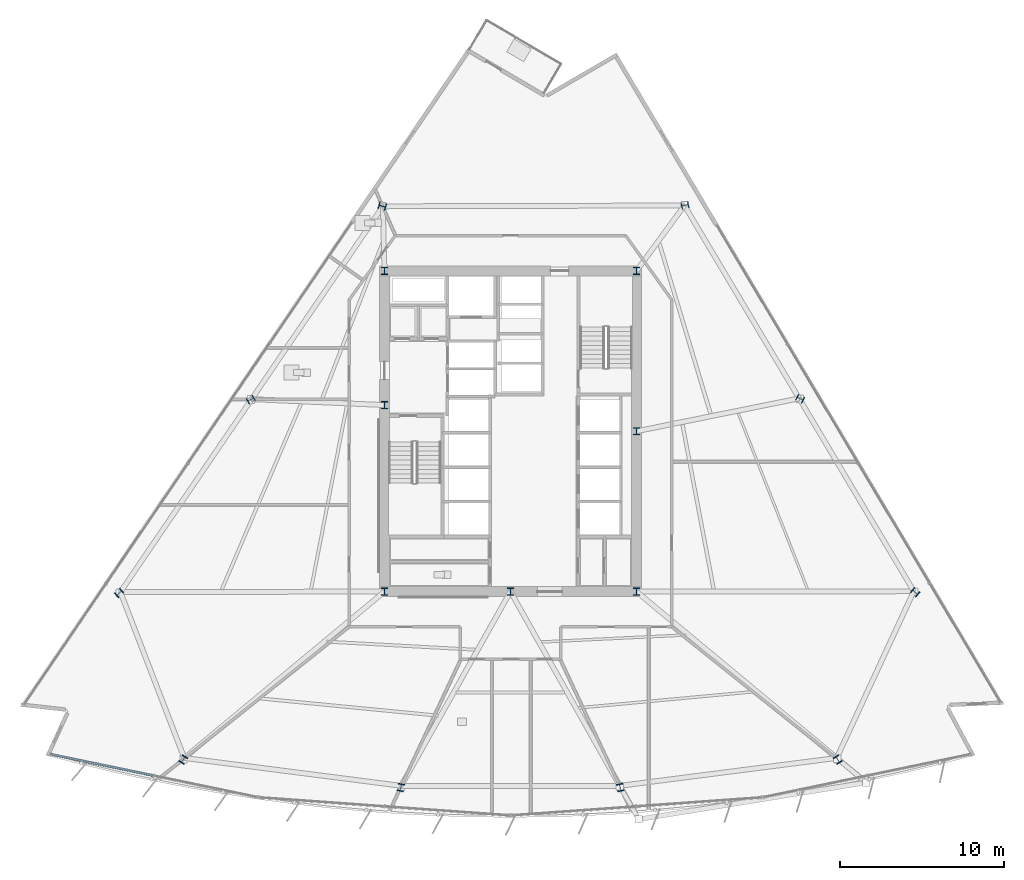
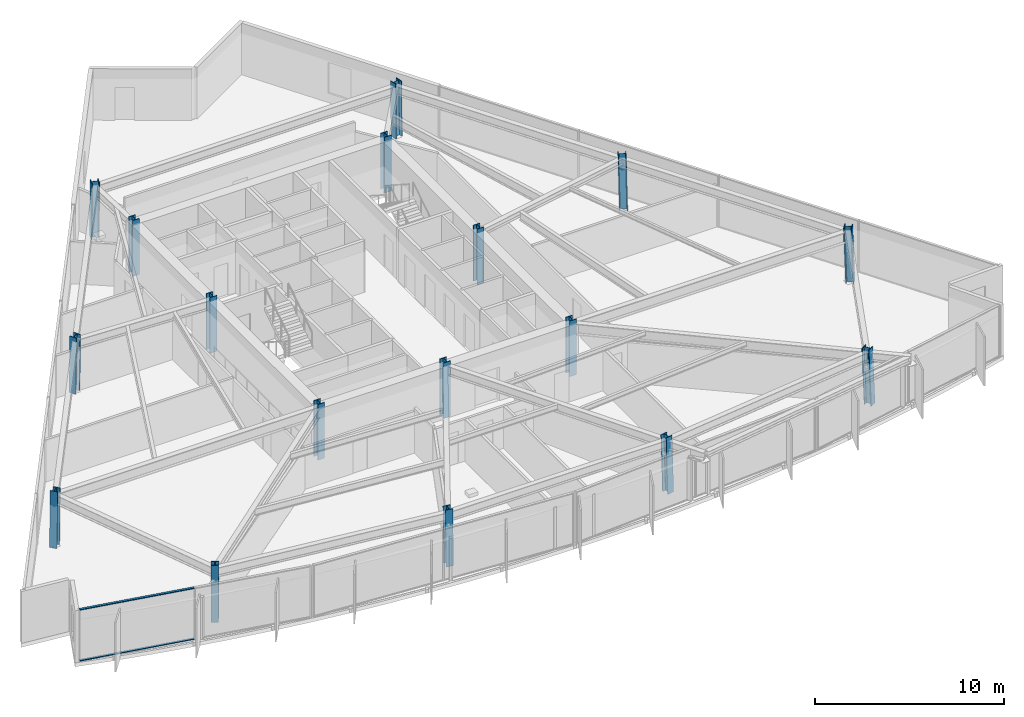
# One storey, part 1 of 18: 17 columns, 2 members, 1 element without a shape of its own.
"""IFC4 building model written with IfcOpenShell, lengths in metres."""

from ifc_helpers import new_model, si_unit, direction, frame, origin, origin_2d, place, context, subcontext, project, spatial, rectangle, i_section, extrude, material, material_profile, profile_set, type_object, element, aggregate, save


model = new_model("IFC4")

# Units and contexts
model_context = context("Model", 3, precision=1e-05, world=origin(), true_north=direction((0.0, 1.0)))
body_context = subcontext(model_context, "Body", "Model", "MODEL_VIEW")
ifc_project = project(units=[si_unit("LENGTHUNIT", "METRE"), si_unit("AREAUNIT", "SQUARE_METRE"), si_unit("VOLUMEUNIT", "CUBIC_METRE"), si_unit("PLANEANGLEUNIT", "RADIAN"), si_unit("MASSUNIT", "GRAM", prefix="KILO")], contexts=[model_context])

# Site, building, storey
site_placement = place(None, origin())
site = spatial("IfcSite", under=ifc_project, at=site_placement, CompositionType="ELEMENT")
building_placement = place(site_placement, origin())
building = spatial("IfcBuilding", under=site, at=building_placement, Name="Savorim Split Tower", CompositionType="ELEMENT")
storey_placement = place(building_placement, frame((0.0, 0.0, 44.39990234375)))
storey = spatial("IfcBuildingStorey", under=building, at=storey_placement, Name="L11", CompositionType="ELEMENT", Elevation=44.39990234375)

# Columns
ifc_material_1 = material(Name="Steel S460", Category="steel")
ifc_material_profile_1 = material_profile(ifc_material_1, i_section(OverallWidth=0.416015625, OverallDepth=0.446044921875, WebThickness=0.02490234375, FlangeThickness=0.0400390625, FilletRadius=0.014892578125, at=origin_2d()), Name="HD 400x509")
ifc_profile_set_1 = profile_set([ifc_material_profile_1], Name="Steel S460")
column_type = type_object("IfcColumnType", Name="COL-HD-509", PredefinedType="COLUMN", material=ifc_profile_set_1)
for number, where, z_axis, x_axis, name in (
    (1, (-7.699951171875, -9.39990234375, 0.0), (0.0, 0.0, 1.0), (1.0, 0.0, 0.0), "L11 Core Structural Column TC-C1"),
    (2, (7.699951171875, -9.39990234375, 0.0), (0.0, 0.0, 1.0), (1.0, 0.0, 0.0), "L11 Core Structural Column TC-C2"),
    (3, (7.699951171875, 10.199951171875, 0.0), (0.0, 0.0, 1.0), (1.0, 0.0, 0.0), "L11 Core Structural Column TC-C3"),
    (4, (-7.699951171875, 10.199951171875, 0.0), (0.0, 0.0, 1.0), (1.0, 0.0, 0.0), "L11 Core Structural Column TC-C4"),
    (5, (0.0, -9.39990234375, 0.0), (0.0, 0.0, 1.0), (1.0, 0.0, 0.0), "L11 Core Structural Column TC-C5"),
    (6, (7.699951171875, 0.39990234375, 0.0), (0.0, 0.0, 1.0), (1.0, 0.0, 0.0), "L11 Core Structural Column TC-C6"),
    (7, (-7.699951171875, 2.0, 0.0), (0.0, 0.0, 1.0), (1.0, 0.0, 0.0), "L11 Core Structural Column TC-C7"),
):
    element("IfcColumn", number, at=place(storey_placement, frame(where, z_axis=z_axis, x_axis=x_axis)), inside=storey, type_object=column_type, Name=name, PredefinedType="COLUMN", context=body_context, shape_type="SweptSolid", body=[
        extrude(i_section(OverallWidth=0.416015625, OverallDepth=0.446044921875, WebThickness=0.02490234375, FlangeThickness=0.0400390625, FilletRadius=0.014892578125, at=origin_2d()), origin(), (0.0, 0.0, 1.0), 3.60009765625),
    ])
column_1_placement = place(storey_placement, frame((-20.01171875, -19.68701171875, 0.005615234375), z_axis=(0.020596245868, 0.03357935795, 0.999223809452), x_axis=(-0.852427604955, 0.522845271865, 0.0)))
element("IfcColumn", 8, at=column_1_placement, inside=storey, type_object=column_type, Name="L11 Tapered Perimeter Column PC-S1", PredefinedType="COLUMN", context=body_context, shape_type="SweptSolid", body=[
    extrude(i_section(OverallWidth=0.416015625, OverallDepth=0.446044921875, WebThickness=0.02490234375, FlangeThickness=0.0400390625, FilletRadius=0.014892578125, at=origin_2d()), origin(), (0.0, 0.0, 1.0), 3.591552734375),
])
for number, where, z_axis, x_axis, name in (
    (9, (-6.70703125, -21.39501953125, 0.005615234375), (0.006934288159, 0.035283289748, 0.999353293441), (-0.981229659911, 0.192842823335, 0.0), "L11 Tapered Perimeter Column PC-S2"),
    (10, (6.70703125, -21.39501953125, 0.005615234375), (-0.006934288159, 0.035283289748, 0.999353293441), (-0.981229659911, -0.192842823335, 0.0), "L11 Tapered Perimeter Column PC-S3"),
):
    element("IfcColumn", number, at=place(storey_placement, frame(where, z_axis=z_axis, x_axis=x_axis)), inside=storey, type_object=column_type, Name=name, PredefinedType="COLUMN", context=body_context, shape_type="SweptSolid", body=[
        extrude(i_section(OverallWidth=0.416015625, OverallDepth=0.446044921875, WebThickness=0.02490234375, FlangeThickness=0.0400390625, FilletRadius=0.014892578125, at=origin_2d()), origin(), (0.0, 0.0, 1.0), 3.59130859375),
    ])
column_2_placement = place(storey_placement, frame((20.01171875, -19.68701171875, 0.005615234375), z_axis=(-0.020596245868, 0.03357935795, 0.999223809452), x_axis=(-0.852427604955, -0.522845271865, 0.0)))
element("IfcColumn", 11, at=column_2_placement, inside=storey, type_object=column_type, Name="L11 Tapered Perimeter Column PC-S4", PredefinedType="COLUMN", context=body_context, shape_type="SweptSolid", body=[
    extrude(i_section(OverallWidth=0.416015625, OverallDepth=0.446044921875, WebThickness=0.02490234375, FlangeThickness=0.0400390625, FilletRadius=0.014892578125, at=origin_2d()), origin(), (0.0, 0.0, 1.0), 3.591552734375),
])
column_3_placement = place(storey_placement, frame((24.7421875, -9.455322265625, 0.005615234375), z_axis=(-0.026039494941, 0.021620259507, 0.999427090428), x_axis=(-0.638800249892, -0.769372628015, 0.0)))
element("IfcColumn", 12, at=column_3_placement, inside=storey, type_object=column_type, Name="L11 Tapered Perimeter Column PC-E1", PredefinedType="COLUMN", context=body_context, shape_type="SweptSolid", body=[
    extrude(i_section(OverallWidth=0.416015625, OverallDepth=0.446044921875, WebThickness=0.02490234375, FlangeThickness=0.0400390625, FilletRadius=0.014892578125, at=origin_2d()), origin(), (0.0, 0.0, 1.0), 3.5908203125),
])
column_4_placement = place(storey_placement, frame((17.7080078125, 2.37451171875, 0.005615234375), z_axis=(-0.018975301738, 0.00958966862, 0.999773962543), x_axis=(-0.451048184688, -0.89249959949, 0.0)))
element("IfcColumn", 13, at=column_4_placement, inside=storey, type_object=column_type, Name="L11 Tapered Perimeter Column PC-E2", PredefinedType="COLUMN", context=body_context, shape_type="SweptSolid", body=[
    extrude(i_section(OverallWidth=0.416015625, OverallDepth=0.446044921875, WebThickness=0.02490234375, FlangeThickness=0.0400390625, FilletRadius=0.014892578125, at=origin_2d()), origin(), (0.0, 0.0, 1.0), 3.589599609375),
])
for number, where, z_axis, x_axis, name in (
    (14, (10.673583984375, 14.20458984375, 0.005615234375), (-0.011699840322, -0.002584848443, 0.999928213571), (0.215728093413, -0.976453475447, 0.0), "L11 Tapered Perimeter Column PC-E3"),
    (15, (-7.83349609375, 14.15576171875, 0.005615234375), (0.008775143007, -0.002584925847, 0.999958156636), (0.282568886397, 0.959247009086, 0.0), "L11 Tapered Perimeter Column PC-W1"),
):
    element("IfcColumn", number, at=place(storey_placement, frame(where, z_axis=z_axis, x_axis=x_axis)), inside=storey, type_object=column_type, Name=name, PredefinedType="COLUMN", context=body_context, shape_type="SweptSolid", body=[
        extrude(i_section(OverallWidth=0.416015625, OverallDepth=0.446044921875, WebThickness=0.02490234375, FlangeThickness=0.0400390625, FilletRadius=0.014892578125, at=origin_2d()), origin(), (0.0, 0.0, 1.0), 3.589111328125),
    ])
column_5_placement = place(storey_placement, frame((-15.88134765625, 2.32568359375, 0.005615234375), z_axis=(0.017003561856, 0.009590008887, 0.99980943715), x_axis=(-0.491253415567, 0.871016694268, 0.0)))
element("IfcColumn", 16, at=column_5_placement, inside=storey, type_object=column_type, Name="L11 Tapered Perimeter Column PC-W2", PredefinedType="COLUMN", context=body_context, shape_type="SweptSolid", body=[
    extrude(i_section(OverallWidth=0.416015625, OverallDepth=0.446044921875, WebThickness=0.02490234375, FlangeThickness=0.0400390625, FilletRadius=0.014892578125, at=origin_2d()), origin(), (0.0, 0.0, 1.0), 3.589599609375),
])
column_6_placement = place(storey_placement, frame((-23.928955078125, -9.504150390625, 0.005615234375), z_axis=(0.025224163578, 0.021620711639, 0.999447990843), x_axis=(-0.650791373456, 0.759256602365, 0.0)))
element("IfcColumn", 17, at=column_6_placement, inside=storey, type_object=column_type, Name="L11 Tapered Perimeter Column PC-W3", PredefinedType="COLUMN", context=body_context, shape_type="SweptSolid", body=[
    extrude(i_section(OverallWidth=0.416015625, OverallDepth=0.446044921875, WebThickness=0.02490234375, FlangeThickness=0.0400390625, FilletRadius=0.014892578125, at=origin_2d()), origin(), (0.0, 0.0, 1.0), 3.5908203125),
])

# Curtain wall, members
ifc_material_2 = material(Name="Dark Ceramic-Fritted Insulated Glass", Category="glass")
curtain_wall_type = type_object("IfcCurtainWallType", Name="CW-TWR-FRIT-A", PredefinedType="NOTDEFINED", material=ifc_material_2)
curtain_wall_placement = place(storey_placement, origin())
curtain_wall = element("IfcCurtainWall", 18, at=curtain_wall_placement, inside=storey, type_object=curtain_wall_type, Name="L11 Curtain Wall CW-L11-SF1", PredefinedType="NOTDEFINED")
ifc_material_3 = material(Name="Charcoal Anodised Aluminium", Category="aluminium")
ifc_material_profile_2 = material_profile(ifc_material_3, rectangle(XDim=0.139892578125, YDim=0.054931640625, at=origin_2d()), Name="ALU-T 140x55")
ifc_profile_set_2 = profile_set([ifc_material_profile_2], Name="Charcoal Anodised Aluminium")
member_type = type_object("IfcMemberType", Name="CWT-140x55", PredefinedType="USERDEFINED", material=ifc_profile_set_2)
member_1_placement = place(storey_placement, frame((-28.096435546875, -19.34033203125, 0.027587890625), z_axis=(0.979132403047, -0.203223368003, 0.0), x_axis=(0.203223368003, 0.979132403047, 0.0)))
member_1 = element("IfcMember", 19, at=member_1_placement, type_object=member_type, Name="CW-02 transom 1.1", ObjectType="TRANSOM", PredefinedType="USERDEFINED", context=body_context, shape_type="SweptSolid", body=[
    extrude(rectangle(XDim=0.139892578125, YDim=0.054931640625, at=origin_2d()), origin(), (0.0, 0.0, 1.0), 6.389892578125),
])
member_2_placement = place(storey_placement, frame((-28.096435546875, -19.34033203125, 3.322509765625), z_axis=(0.979132403047, -0.203223368003, 0.0), x_axis=(0.203223368003, 0.979132403047, 0.0)))
member_2 = element("IfcMember", 20, at=member_2_placement, type_object=member_type, Name="CW-02 transom 1.2", ObjectType="TRANSOM", PredefinedType="USERDEFINED", context=body_context, shape_type="SweptSolid", body=[
    extrude(rectangle(XDim=0.139892578125, YDim=0.054931640625, at=origin_2d()), origin(), (0.0, 0.0, 1.0), 6.389892578125),
])
aggregate(curtain_wall, [member_1, member_2])

save(model, "model.ifc")
